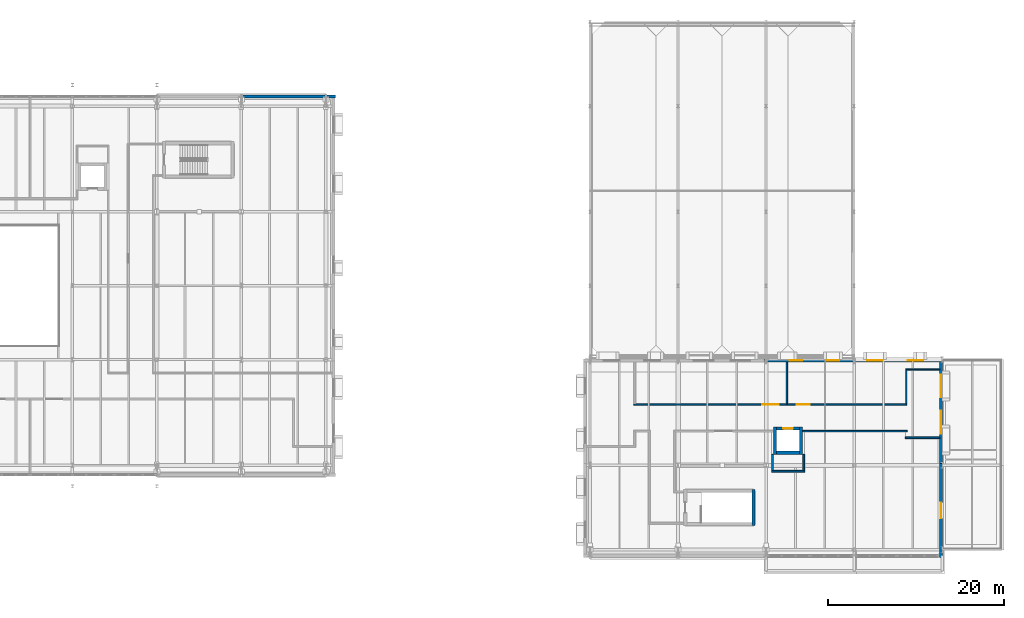
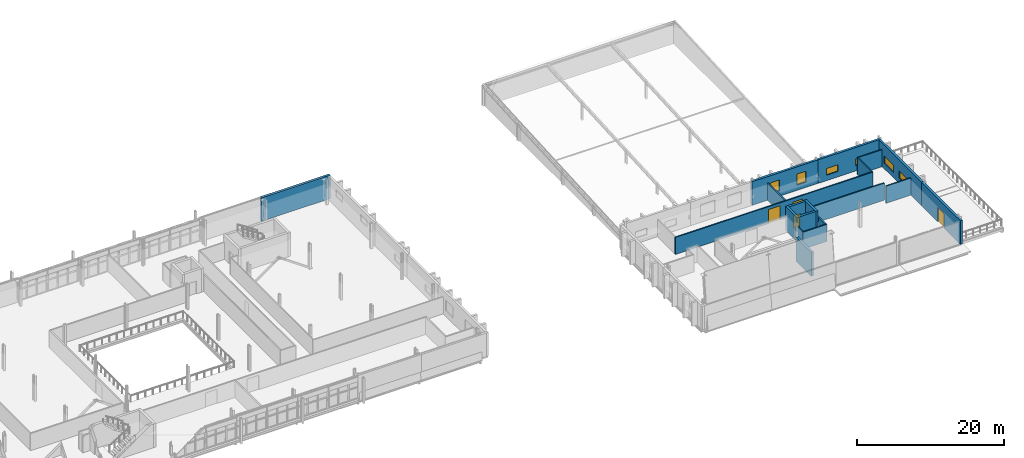
# One storey, part 46 of 57: 19 walls, 6 windows, 4 doors, 10 openings.
"""IFC4 building model written with IfcOpenShell, lengths in metres."""

from ifc_helpers import new_model, si_unit, direction, frame, frame_2d, origin, place, context, subcontext, project, spatial, rectangle, extrude, material, layer, layer_set, type_object, element, fill, save


model = new_model("IFC4")

# Units and contexts
model_context = context("Model", 3, precision=1e-05, world=origin(), true_north=direction((0.0, 1.0)))
body_context = subcontext(model_context, "Body", "Model", "MODEL_VIEW")
ifc_project = project(units=[si_unit("LENGTHUNIT", "METRE"), si_unit("AREAUNIT", "SQUARE_METRE"), si_unit("VOLUMEUNIT", "CUBIC_METRE"), si_unit("PLANEANGLEUNIT", "RADIAN"), si_unit("MASSUNIT", "GRAM", prefix="KILO")], contexts=[model_context])

# Site, building, storey
site_placement = place(None, origin())
site = spatial("IfcSite", under=ifc_project, at=site_placement, CompositionType="ELEMENT")
building_placement = place(site_placement, origin())
building = spatial("IfcBuilding", under=site, at=building_placement, Name="Zereglee Splitstone Museum", CompositionType="ELEMENT")
storey_placement = place(building_placement, frame((0.0, 0.0, 17.10009765625)))
storey = spatial("IfcBuildingStorey", under=building, at=storey_placement, Name="L03", CompositionType="ELEMENT", Elevation=17.10009765625)

# Wall
ifc_material_1 = material(Name="Concrete C45/55", Category="concrete")
ifc_layer_1 = layer(ifc_material_1, 0.360107421875)
ifc_layer_set_1 = layer_set([ifc_layer_1], Name="Concrete C45/55")
wall_type_1 = type_object("IfcWallType", Name="CSW-02", PredefinedType="SHEAR", material=ifc_layer_set_1)
wall_1_placement = place(storey_placement, frame((193.780029296875, 2.739990234375, 0.0), z_axis=(0.0, 0.0, 1.0), x_axis=(0.0, 1.0, 0.0)))
element("IfcWall", 1, at=wall_1_placement, inside=storey, type_object=wall_type_1, Name="Stair Core Shear Wall ST-04 L03 East", PredefinedType="SHEAR", context=body_context, shape_type="SweptSolid", body=[
    extrude(rectangle(XDim=4.1201171875, YDim=0.360107421875, at=frame_2d((2.06005859375, 0.0))), origin(), (0.0, 0.0, 1.0), 3.93994140625),
])

# Wall, opening, door
wall_2_placement = place(storey_placement, frame((196.39990234375, 13.780029296875, 0.0), z_axis=(0.0, 0.0, 1.0), x_axis=(1.0, 0.0, 0.0)))
wall_2 = element("IfcWall", 2, at=wall_2_placement, inside=storey, type_object=wall_type_1, Name="Lift Shaft Wall PL-03 L03 North", PredefinedType="SHEAR", context=body_context, shape_type="SweptSolid", body=[
    extrude(rectangle(XDim=2.60009765625, YDim=0.360107421875, at=frame_2d((1.300048828125, 0.0))), origin(), (0.0, 0.0, 1.0), 3.93994140625),
])
opening_1_placement = place(wall_2_placement, frame((0.75, 0.0, 0.0)))
opening_1 = element("IfcOpeningElement", 3, at=opening_1_placement, cuts=wall_2, Name="Opening LD-01", PredefinedType="OPENING", context=body_context, shape_type="SweptSolid", body=[
    extrude(rectangle(XDim=1.10009765625, YDim=2.14990234375, at=frame_2d((0.550048828125, 1.074951171875))), frame((0.0, 0.19482421875, 0.0), z_axis=(0.0, -1.0, 0.0), x_axis=(1.0, 0.0, 0.0)), (0.0, 0.0, 1.0), 0.389892578125),
])
ifc_material_2 = material(Name="Fire-rated steel and Siberian larch leaf", Category="steel")
door_type_1 = type_object("IfcDoorType", Name="LD-01", OperationType="DOUBLE_DOOR_SLIDING", PredefinedType="DOOR", material=ifc_material_2)
door_1_placement = place(opening_1_placement, origin())
door_1 = element("IfcDoor", 4, at=door_1_placement, inside=storey, type_object=door_type_1, Name="Lift Landing Sliding Door PL-03 L03", OperationType="DOUBLE_DOOR_SLIDING", OverallHeight=2.14990234375, OverallWidth=1.10009765625, PredefinedType="DOOR", context=body_context, shape_type="SweptSolid", body=[
    extrude(rectangle(XDim=1.10009765625, YDim=2.14990234375, at=frame_2d((0.550048828125, 1.074951171875))), frame((0.0, 0.02490234375, 0.0), z_axis=(0.0, -1.0, 0.0), x_axis=(1.0, 0.0, 0.0)), (0.0, 0.0, 1.0), 0.050048828125),
])
fill(opening_1, door_1)

# Walls
wall_3_placement = place(storey_placement, frame((196.39990234375, 11.02001953125, 0.0), z_axis=(0.0, 0.0, 1.0), x_axis=(1.0, 0.0, 0.0)))
element("IfcWall", 5, at=wall_3_placement, inside=storey, type_object=wall_type_1, Name="Lift Shaft Wall PL-03 L03 South", PredefinedType="SHEAR", context=body_context, shape_type="SweptSolid", body=[
    extrude(rectangle(XDim=2.60009765625, YDim=0.360107421875, at=frame_2d((1.300048828125, 0.0))), origin(), (0.0, 0.0, 1.0), 3.93994140625),
])
for number, where, z_axis, x_axis, name in (
    (6, (196.219970703125, 10.840087890625, 0.0), (0.0, 0.0, 1.0), (0.0, 1.0, 0.0), "Lift Shaft Wall PL-03 L03 West"),
    (7, (199.179931640625, 10.840087890625, 0.0), (0.0, 0.0, 1.0), (0.0, 1.0, 0.0), "Lift Shaft Wall PL-03 L03 East"),
):
    element("IfcWall", number, at=place(storey_placement, frame(where, z_axis=z_axis, x_axis=x_axis)), inside=storey, type_object=wall_type_1, Name=name, PredefinedType="SHEAR", context=body_context, shape_type="SweptSolid", body=[
        extrude(rectangle(XDim=3.119873046875, YDim=0.360107421875, at=frame_2d((1.56005859375, 0.0))), origin(), (0.0, 0.0, 1.0), 3.93994140625),
    ])

# Wall, opening, door
ifc_material_3 = material(Name="Precast concrete C40/50", Category="concrete")
ifc_layer_2 = layer(ifc_material_3, 0.35009765625)
ifc_layer_set_2 = layer_set([ifc_layer_2], Name="Precast concrete C40/50")
wall_type_2 = type_object("IfcWallType", Name="EW-01", PredefinedType="STANDARD", material=ifc_layer_set_2)
wall_4_placement = place(storey_placement, frame((215.080078125, -0.860107421875, 0.0), z_axis=(0.0, 0.0, 1.0), x_axis=(0.0, 1.0, 0.0)))
wall_4 = element("IfcWall", 8, at=wall_4_placement, inside=storey, type_object=wall_type_2, Name="Exterior Backup Wall RC4-EW-L03-0166", PredefinedType="STANDARD", context=body_context, shape_type="SweptSolid", body=[
    extrude(rectangle(XDim=10.64013671875, YDim=0.35009765625, at=frame_2d((5.320068359375, 0.0))), origin(), (0.0, 0.0, 1.0), 3.89990234375),
])
opening_2_placement = place(wall_4_placement, frame((4.419921875, 0.0, 0.0)))
opening_2 = element("IfcOpeningElement", 9, at=opening_2_placement, cuts=wall_4, Name="Opening ED-06", PredefinedType="OPENING", context=body_context, shape_type="SweptSolid", body=[
    extrude(rectangle(XDim=1.800048828125, YDim=2.39990234375, at=frame_2d((0.89990234375, 1.199951171875))), frame((0.0, 0.18994140625, 0.0), z_axis=(0.0, -1.0, 0.0), x_axis=(1.0, 0.0, 0.0)), (0.0, 0.0, 1.0), 0.3798828125),
])
ifc_material_4 = material(Name="Thermally broken aluminium with triple glazing", Category="aluminium")
door_type_2 = type_object("IfcDoorType", Name="ED-06", OperationType="DOUBLE_DOOR_SINGLE_SWING", PredefinedType="DOOR", material=ifc_material_4)
door_2_placement = place(opening_2_placement, origin())
door_2 = element("IfcDoor", 10, at=door_2_placement, inside=storey, type_object=door_type_2, Name="Gallery Terrace Access Door TER-L03-S2", OperationType="DOUBLE_DOOR_SINGLE_SWING", OverallHeight=2.39990234375, OverallWidth=1.800048828125, PredefinedType="DOOR", context=body_context, shape_type="SweptSolid", body=[
    extrude(rectangle(XDim=1.800048828125, YDim=2.39990234375, at=frame_2d((0.89990234375, 1.199951171875))), frame((0.0, 0.02490234375, 0.0), z_axis=(0.0, -1.0, 0.0), x_axis=(1.0, 0.0, 0.0)), (0.0, 0.0, 1.0), 0.050048828125),
])
fill(opening_2, door_2)

# Wall, openings, windows
wall_5_placement = place(storey_placement, frame((215.080078125, 9.419921875, 0.0), z_axis=(0.0, 0.0, 1.0), x_axis=(0.0, 1.0, 0.0)))
wall_5 = element("IfcWall", 11, at=wall_5_placement, inside=storey, type_object=wall_type_2, Name="Exterior Backup Wall RC4-EW-L03-0167", PredefinedType="STANDARD", context=body_context, shape_type="SweptSolid", body=[
    extrude(rectangle(XDim=12.239990234375, YDim=0.35009765625, at=frame_2d((6.1201171875, 0.0))), origin(), (0.0, 0.0, 1.0), 3.89990234375),
])
opening_3_placement = place(wall_5_placement, frame((3.760009765625, 0.0, 0.89990234375)))
opening_3 = element("IfcOpeningElement", 12, at=opening_3_placement, cuts=wall_5, Name="Opening EW-W14", PredefinedType="OPENING", context=body_context, shape_type="SweptSolid", body=[
    extrude(rectangle(XDim=2.60009765625, YDim=1.199951171875, at=frame_2d((1.300048828125, 0.60009765625))), frame((0.0, 0.18994140625, 0.0), z_axis=(0.0, -1.0, 0.0), x_axis=(1.0, 0.0, 0.0)), (0.0, 0.0, 1.0), 0.3798828125),
])
opening_4_placement = place(wall_5_placement, frame((7.8798828125, 0.0, 0.89990234375)))
opening_4 = element("IfcOpeningElement", 13, at=opening_4_placement, cuts=wall_5, Name="Opening EW-W14", PredefinedType="OPENING", context=body_context, shape_type="SweptSolid", body=[
    extrude(rectangle(XDim=2.60009765625, YDim=1.199951171875, at=frame_2d((1.300048828125, 0.60009765625))), frame((0.0, 0.18994140625, 0.0), z_axis=(0.0, -1.0, 0.0), x_axis=(1.0, 0.0, 0.0)), (0.0, 0.0, 1.0), 0.3798828125),
])
ifc_material_5 = material(Name="Thermally broken aluminium frame with triple low-e glazing", Category="aluminium")
window_type_1 = type_object("IfcWindowType", Name="EW-W14", PartitioningType="TRIPLE_PANEL_VERTICAL", PredefinedType="WINDOW", material=ifc_material_5)
window_1_placement = place(opening_3_placement, origin())
window_1 = element("IfcWindow", 14, at=window_1_placement, inside=storey, type_object=window_type_1, Name="Mughal Deep-Reveal Gallery Window L03-0105", OverallHeight=1.199951171875, OverallWidth=2.60009765625, PartitioningType="SINGLE_PANEL", PredefinedType="WINDOW", context=body_context, shape_type="SweptSolid", body=[
    extrude(rectangle(XDim=2.60009765625, YDim=1.199951171875, at=frame_2d((1.300048828125, 0.60009765625))), frame((0.0, 0.030029296875, 0.0), z_axis=(0.0, -1.0, 0.0), x_axis=(1.0, 0.0, 0.0)), (0.0, 0.0, 1.0), 0.06005859375),
])
fill(opening_3, window_1)
window_2_placement = place(opening_4_placement, origin())
window_2 = element("IfcWindow", 15, at=window_2_placement, inside=storey, type_object=window_type_1, Name="Mughal Deep-Reveal Gallery Window L03-0106", OverallHeight=1.199951171875, OverallWidth=2.60009765625, PartitioningType="SINGLE_PANEL", PredefinedType="WINDOW", context=body_context, shape_type="SweptSolid", body=[
    extrude(rectangle(XDim=2.60009765625, YDim=1.199951171875, at=frame_2d((1.300048828125, 0.60009765625))), frame((0.0, 0.030029296875, 0.0), z_axis=(0.0, -1.0, 0.0), x_axis=(1.0, 0.0, 0.0)), (0.0, 0.0, 1.0), 0.06005859375),
])
fill(opening_4, window_2)

wall_6_placement = place(storey_placement, frame((215.260009765625, 21.47998046875, 0.0), z_axis=(0.0, 0.0, 1.0), x_axis=(-1.0, 0.0, 0.0)))
wall_6 = element("IfcWall", 16, at=wall_6_placement, inside=storey, type_object=wall_type_2, Name="Exterior Backup Wall RC4-EW-L03-0168", PredefinedType="STANDARD", context=body_context, shape_type="SweptSolid", body=[
    extrude(rectangle(XDim=10.239990234375, YDim=0.35009765625, at=frame_2d((5.1201171875, 0.0))), origin(), (0.0, 0.0, 1.0), 3.89990234375),
])
opening_5_placement = place(wall_6_placement, frame((2.18505859375, 0.0, 0.89990234375)))
opening_5 = element("IfcOpeningElement", 17, at=opening_5_placement, cuts=wall_6, Name="Opening EW-W12", PredefinedType="OPENING", context=body_context, shape_type="SweptSolid", body=[
    extrude(rectangle(XDim=1.800048828125, YDim=1.10009765625, at=frame_2d((0.89990234375, 0.550048828125))), frame((0.0, 0.18994140625, 0.0), z_axis=(0.0, -1.0, 0.0), x_axis=(1.0, 0.0, 0.0)), (0.0, 0.0, 1.0), 0.3798828125),
])
opening_6_placement = place(wall_6_placement, frame((6.780029296875, 0.0, 0.89990234375)))
opening_6 = element("IfcOpeningElement", 18, at=opening_6_placement, cuts=wall_6, Name="Opening EW-W12", PredefinedType="OPENING", context=body_context, shape_type="SweptSolid", body=[
    extrude(rectangle(XDim=1.800048828125, YDim=1.10009765625, at=frame_2d((0.89990234375, 0.550048828125))), frame((0.0, 0.18994140625, 0.0), z_axis=(0.0, -1.0, 0.0), x_axis=(1.0, 0.0, 0.0)), (0.0, 0.0, 1.0), 0.3798828125),
])
window_type_2 = type_object("IfcWindowType", Name="EW-W12", PartitioningType="DOUBLE_PANEL_HORIZONTAL", PredefinedType="WINDOW", material=ifc_material_5)
window_3_placement = place(opening_5_placement, origin())
window_3 = element("IfcWindow", 19, at=window_3_placement, inside=storey, type_object=window_type_2, Name="Mughal Deep-Reveal Gallery Window L03-0107", OverallHeight=1.10009765625, OverallWidth=1.800048828125, PartitioningType="SINGLE_PANEL", PredefinedType="WINDOW", context=body_context, shape_type="SweptSolid", body=[
    extrude(rectangle(XDim=1.800048828125, YDim=1.10009765625, at=frame_2d((0.89990234375, 0.550048828125))), frame((0.0, 0.030029296875, 0.0), z_axis=(0.0, -1.0, 0.0), x_axis=(1.0, 0.0, 0.0)), (0.0, 0.0, 1.0), 0.06005859375),
])
fill(opening_5, window_3)
window_4_placement = place(opening_6_placement, origin())
window_4 = element("IfcWindow", 20, at=window_4_placement, inside=storey, type_object=window_type_2, Name="Mughal Deep-Reveal Gallery Window L03-0108", OverallHeight=1.10009765625, OverallWidth=1.800048828125, PartitioningType="SINGLE_PANEL", PredefinedType="WINDOW", context=body_context, shape_type="SweptSolid", body=[
    extrude(rectangle(XDim=1.800048828125, YDim=1.10009765625, at=frame_2d((0.89990234375, 0.550048828125))), frame((0.0, 0.030029296875, 0.0), z_axis=(0.0, -1.0, 0.0), x_axis=(1.0, 0.0, 0.0)), (0.0, 0.0, 1.0), 0.06005859375),
])
fill(opening_6, window_4)

wall_7_placement = place(storey_placement, frame((205.3798828125, 21.47998046875, 0.0), z_axis=(0.0, 0.0, 1.0), x_axis=(-1.0, 0.0, 0.0)))
wall_7 = element("IfcWall", 21, at=wall_7_placement, inside=storey, type_object=wall_type_2, Name="Exterior Backup Wall RC4-EW-L03-0169", PredefinedType="STANDARD", context=body_context, shape_type="SweptSolid", body=[
    extrude(rectangle(XDim=10.35986328125, YDim=0.35009765625, at=frame_2d((5.179931640625, 0.0))), origin(), (0.0, 0.0, 1.0), 3.89990234375),
])
opening_7_placement = place(wall_7_placement, frame((1.889892578125, 0.0, 0.89990234375)))
opening_7 = element("IfcOpeningElement", 22, at=opening_7_placement, cuts=wall_7, Name="Opening EW-W18", PredefinedType="OPENING", context=body_context, shape_type="SweptSolid", body=[
    extrude(rectangle(XDim=1.39990234375, YDim=1.800048828125, at=frame_2d((0.699951171875, 0.89990234375))), frame((0.0, 0.18994140625, 0.0), z_axis=(0.0, -1.0, 0.0), x_axis=(1.0, 0.0, 0.0)), (0.0, 0.0, 1.0), 0.3798828125),
])
opening_8_placement = place(wall_7_placement, frame((6.070068359375, 0.0, 0.89990234375)))
opening_8 = element("IfcOpeningElement", 23, at=opening_8_placement, cuts=wall_7, Name="Opening EW-W18", PredefinedType="OPENING", context=body_context, shape_type="SweptSolid", body=[
    extrude(rectangle(XDim=1.39990234375, YDim=1.800048828125, at=frame_2d((0.699951171875, 0.89990234375))), frame((0.0, 0.18994140625, 0.0), z_axis=(0.0, -1.0, 0.0), x_axis=(1.0, 0.0, 0.0)), (0.0, 0.0, 1.0), 0.3798828125),
])
window_type_3 = type_object("IfcWindowType", Name="EW-W18", PartitioningType="DOUBLE_PANEL_VERTICAL", PredefinedType="WINDOW", material=ifc_material_5)
window_5_placement = place(opening_7_placement, origin())
window_5 = element("IfcWindow", 24, at=window_5_placement, inside=storey, type_object=window_type_3, Name="Mughal Deep-Reveal Gallery Window L03-0109", OverallHeight=1.800048828125, OverallWidth=1.39990234375, PartitioningType="SINGLE_PANEL", PredefinedType="WINDOW", context=body_context, shape_type="SweptSolid", body=[
    extrude(rectangle(XDim=1.39990234375, YDim=1.800048828125, at=frame_2d((0.699951171875, 0.89990234375))), frame((0.0, 0.030029296875, 0.0), z_axis=(0.0, -1.0, 0.0), x_axis=(1.0, 0.0, 0.0)), (0.0, 0.0, 1.0), 0.06005859375),
])
fill(opening_7, window_5)
window_6_placement = place(opening_8_placement, origin())
window_6 = element("IfcWindow", 25, at=window_6_placement, inside=storey, type_object=window_type_3, Name="Mughal Deep-Reveal Gallery Window L03-0110", OverallHeight=1.800048828125, OverallWidth=1.39990234375, PartitioningType="SINGLE_PANEL", PredefinedType="WINDOW", context=body_context, shape_type="SweptSolid", body=[
    extrude(rectangle(XDim=1.39990234375, YDim=1.800048828125, at=frame_2d((0.699951171875, 0.89990234375))), frame((0.0, 0.030029296875, 0.0), z_axis=(0.0, -1.0, 0.0), x_axis=(1.0, 0.0, 0.0)), (0.0, 0.0, 1.0), 0.06005859375),
])
fill(opening_8, window_6)

# Walls
wall_8_placement = place(storey_placement, frame((146.260009765625, 51.47998046875, 0.0), z_axis=(0.0, 0.0, 1.0), x_axis=(-1.0, 0.0, 0.0)))
element("IfcWall", 26, at=wall_8_placement, inside=storey, type_object=wall_type_2, Name="Exterior Backup Wall RC4-EW-L03-0202", PredefinedType="STANDARD", context=body_context, shape_type="SweptSolid", body=[
    extrude(rectangle(XDim=10.840087890625, YDim=0.35009765625, at=frame_2d((5.419921875, 0.0))), origin(), (0.0, 0.0, 1.0), 3.89990234375),
])
ifc_material_6 = material(Name="Fire-rated gypsum board partition", Category="masonry")
ifc_layer_3 = layer(ifc_material_6, 0.159912109375)
ifc_layer_set_3 = layer_set([ifc_layer_3], Name="Fire-rated gypsum board partition")
wall_type_3 = type_object("IfcWallType", Name="IW-04", PredefinedType="PARTITIONING", material=ifc_layer_set_3)
wall_9_placement = place(storey_placement, frame((211.0400390625, 20.47998046875, 0.0), z_axis=(0.0, 0.0, 1.0), x_axis=(1.0, 0.0, 0.0)))
element("IfcWall", 27, at=wall_9_placement, inside=storey, type_object=wall_type_3, Name="Interior Partition L03-0584 (Conservation Preparation Studio)", PredefinedType="PARTITIONING", context=body_context, shape_type="SweptSolid", body=[
    extrude(rectangle(XDim=3.864990234375, YDim=0.159912109375, at=frame_2d((1.9326171875, 0.0))), origin(), (0.0, 0.0, 1.0), 2.81982421875),
])
wall_10_placement = place(storey_placement, frame((211.1201171875, 16.614990234375, 0.0), z_axis=(0.0, 0.0, 1.0), x_axis=(0.0, 1.0, 0.0)))
element("IfcWall", 28, at=wall_10_placement, inside=storey, type_object=wall_type_3, Name="Interior Partition L03-0628 (Conservation Preparation Studio)", PredefinedType="PARTITIONING", context=body_context, shape_type="SweptSolid", body=[
    extrude(rectangle(XDim=3.784912109375, YDim=0.159912109375, at=frame_2d((1.892578125, 0.0))), origin(), (0.0, 0.0, 1.0), 2.81982421875),
])
ifc_material_7 = material(Name="Gypsum board on acoustic steel stud", Category="steel")
ifc_layer_4 = layer(ifc_material_7, 0.18994140625)
ifc_layer_set_4 = layer_set([ifc_layer_4], Name="Gypsum board on acoustic steel stud")
wall_type_4 = type_object("IfcWallType", Name="IW-02", PredefinedType="PARTITIONING", material=ifc_layer_set_4)
wall_11_placement = place(storey_placement, frame((195.824951171875, 8.919921875, 0.0), z_axis=(0.0, 0.0, 1.0), x_axis=(1.0, 0.0, 0.0)))
element("IfcWall", 29, at=wall_11_placement, inside=storey, type_object=wall_type_4, Name="Interior Partition L03-0560 (Silk Road Decorative Arts Gallery)", PredefinedType="PARTITIONING", context=body_context, shape_type="SweptSolid", body=[
    extrude(rectangle(XDim=3.75, YDim=0.18994140625, at=frame_2d((1.875, 0.0))), origin(), (0.0, 0.0, 1.0), 2.81982421875),
])
wall_12_placement = place(storey_placement, frame((211.02490234375, 12.719970703125, 0.0), z_axis=(0.0, 0.0, 1.0), x_axis=(1.0, 0.0, 0.0)))
element("IfcWall", 30, at=wall_12_placement, inside=storey, type_object=wall_type_4, Name="Interior Partition L03-0565 (Silk Road Decorative Arts Gallery)", PredefinedType="PARTITIONING", context=body_context, shape_type="SweptSolid", body=[
    extrude(rectangle(XDim=3.880126953125, YDim=0.18994140625, at=frame_2d((1.93994140625, 0.0))), origin(), (0.0, 0.0, 1.0), 2.81982421875),
])
wall_13_placement = place(storey_placement, frame((199.360107421875, 13.47998046875, 0.0), z_axis=(0.0, 0.0, 1.0), x_axis=(1.0, 0.0, 0.0)))
element("IfcWall", 31, at=wall_13_placement, inside=storey, type_object=wall_type_4, Name="Interior Partition L03-0568 (Silk Road Decorative Arts Gallery)", PredefinedType="PARTITIONING", context=body_context, shape_type="SweptSolid", body=[
    extrude(rectangle(XDim=11.85498046875, YDim=0.18994140625, at=frame_2d((5.927490234375, 0.0))), origin(), (0.0, 0.0, 1.0), 2.81982421875),
])

# Wall, openings, doors
wall_14_placement = place(storey_placement, frame((180.18505859375, 16.52001953125, 0.0), z_axis=(0.0, 0.0, 1.0), x_axis=(1.0, 0.0, 0.0)))
wall_14 = element("IfcWall", 32, at=wall_14_placement, inside=storey, type_object=wall_type_4, Name="Interior Partition L03-0576 (Steppe Ecology Gallery)", PredefinedType="PARTITIONING", context=body_context, shape_type="SweptSolid", body=[
    extrude(rectangle(XDim=31.014892578125, YDim=0.18994140625, at=frame_2d((15.50732421875, 0.0))), origin(), (0.0, 0.0, 1.0), 2.81982421875),
])
opening_9_placement = place(wall_14_placement, frame((14.58251953125, 0.0, 0.0)))
opening_9 = element("IfcOpeningElement", 33, at=opening_9_placement, cuts=wall_14, Name="Opening ID-02", PredefinedType="OPENING", context=body_context, shape_type="SweptSolid", body=[
    extrude(rectangle(XDim=1.85009765625, YDim=2.35009765625, at=frame_2d((0.925048828125, 1.175048828125))), frame((0.0, 0.10986328125, 0.0), z_axis=(0.0, -1.0, 0.0), x_axis=(1.0, 0.0, 0.0)), (0.0, 0.0, 1.0), 0.2197265625),
])
opening_10_placement = place(wall_14_placement, frame((18.479248046875, 0.0, 0.0)))
opening_10 = element("IfcOpeningElement", 34, at=opening_10_placement, cuts=wall_14, Name="Opening ID-07", PredefinedType="OPENING", context=body_context, shape_type="SweptSolid", body=[
    extrude(rectangle(XDim=1.5, YDim=2.199951171875, at=frame_2d((0.75, 1.10009765625))), frame((0.0, 0.10986328125, 0.0), z_axis=(0.0, -1.0, 0.0), x_axis=(1.0, 0.0, 0.0)), (0.0, 0.0, 1.0), 0.2197265625),
])
door_type_3 = type_object("IfcDoorType", Name="ID-02", OperationType="NOTDEFINED", PredefinedType="DOOR", material=ifc_material_2)
door_3_placement = place(opening_9_placement, origin())
door_3 = element("IfcDoor", 35, at=door_3_placement, inside=storey, type_object=door_type_3, Name="Interior Door L03-0105 (Steppe Ecology Gallery)", OperationType="DOUBLE_DOOR_SINGLE_SWING", OverallHeight=2.35009765625, OverallWidth=1.85009765625, PredefinedType="DOOR", context=body_context, shape_type="SweptSolid", body=[
    extrude(rectangle(XDim=1.85009765625, YDim=2.35009765625, at=frame_2d((0.925048828125, 1.175048828125))), frame((0.0, 0.02490234375, 0.0), z_axis=(0.0, -1.0, 0.0), x_axis=(1.0, 0.0, 0.0)), (0.0, 0.0, 1.0), 0.050048828125),
])
fill(opening_9, door_3)
door_type_4 = type_object("IfcDoorType", Name="ID-07", OperationType="NOTDEFINED", PredefinedType="DOOR", material=ifc_material_2)
door_4_placement = place(opening_10_placement, origin())
door_4 = element("IfcDoor", 36, at=door_4_placement, inside=storey, type_object=door_type_4, Name="Interior Door L03-0106 (Conservation Preparation Studio)", OperationType="DOUBLE_DOOR_SINGLE_SWING", OverallHeight=2.199951171875, OverallWidth=1.5, PredefinedType="DOOR", context=body_context, shape_type="SweptSolid", body=[
    extrude(rectangle(XDim=1.5, YDim=2.199951171875, at=frame_2d((0.75, 1.10009765625))), frame((0.0, 0.02490234375, 0.0), z_axis=(0.0, -1.0, 0.0), x_axis=(1.0, 0.0, 0.0)), (0.0, 0.0, 1.0), 0.050048828125),
])
fill(opening_10, door_4)

# Walls
wall_15_placement = place(storey_placement, frame((195.919921875, 9.014892578125, 0.0), z_axis=(0.0, 0.0, 1.0), x_axis=(0.0, 1.0, 0.0)))
element("IfcWall", 37, at=wall_15_placement, inside=storey, type_object=wall_type_4, Name="Interior Partition L03-0625 (Silk Road Decorative Arts Gallery)", PredefinedType="PARTITIONING", context=body_context, shape_type="SweptSolid", body=[
    extrude(rectangle(XDim=1.8251953125, YDim=0.18994140625, at=frame_2d((0.91259765625, 0.0))), origin(), (0.0, 0.0, 1.0), 2.81982421875),
])
wall_16_placement = place(storey_placement, frame((197.56005859375, 16.614990234375, 0.0), z_axis=(0.0, 0.0, 1.0), x_axis=(0.0, 1.0, 0.0)))
element("IfcWall", 38, at=wall_16_placement, inside=storey, type_object=wall_type_4, Name="Interior Partition L03-0626 (Steppe Ecology Gallery)", PredefinedType="PARTITIONING", context=body_context, shape_type="SweptSolid", body=[
    extrude(rectangle(XDim=4.68994140625, YDim=0.18994140625, at=frame_2d((2.344970703125, 0.0))), origin(), (0.0, 0.0, 1.0), 2.81982421875),
])
wall_17_placement = place(storey_placement, frame((199.47998046875, 9.014892578125, 0.0), z_axis=(0.0, 0.0, 1.0), x_axis=(0.0, 1.0, 0.0)))
element("IfcWall", 39, at=wall_17_placement, inside=storey, type_object=wall_type_4, Name="Interior Partition L03-0627 (Silk Road Decorative Arts Gallery)", PredefinedType="PARTITIONING", context=body_context, shape_type="SweptSolid", body=[
    extrude(rectangle(XDim=1.8251953125, YDim=0.18994140625, at=frame_2d((0.91259765625, 0.0))), origin(), (0.0, 0.0, 1.0), 2.81982421875),
])

save(model, "model.ifc")
